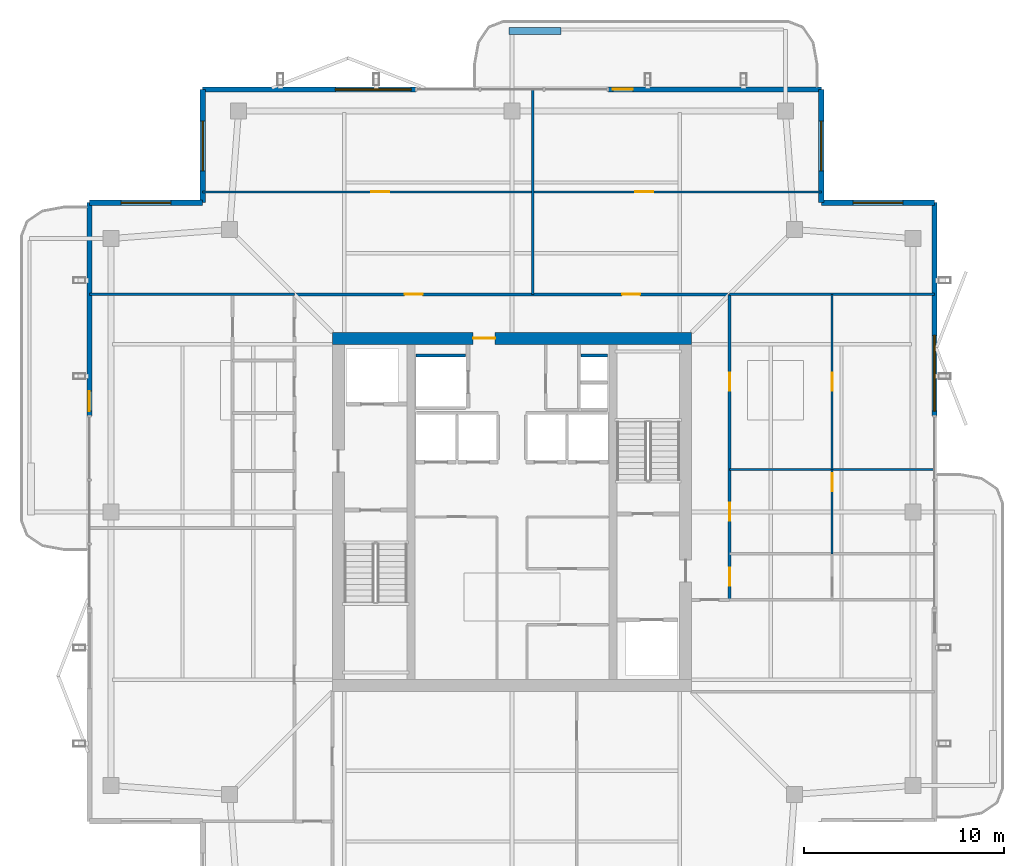
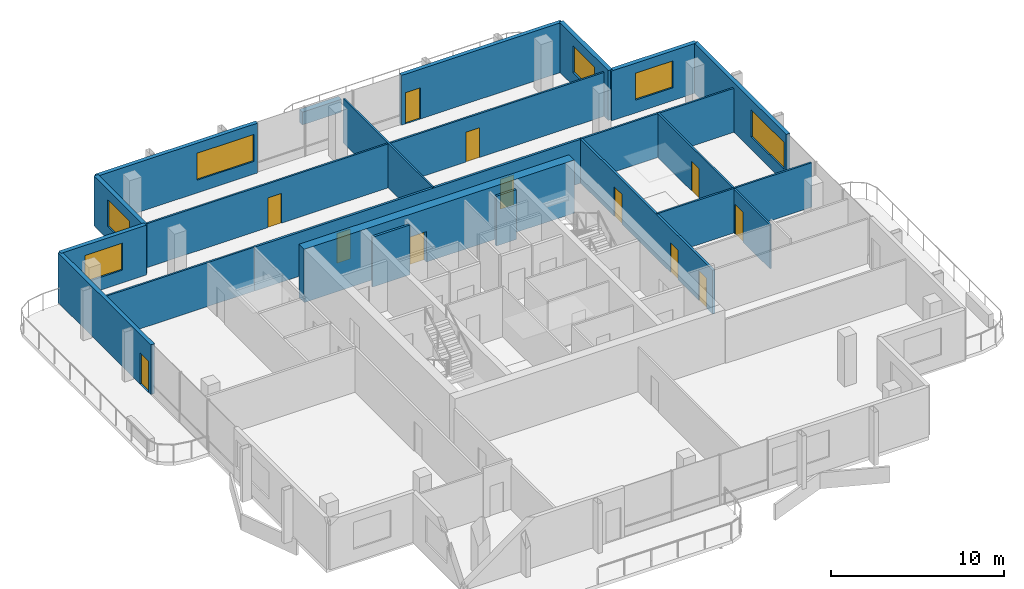
# One storey, part 18 of 22: 22 walls, 12 doors, 6 windows, 18 openings.
"""IFC4 building model written with IfcOpenShell, lengths in metres."""

from ifc_helpers import new_model, si_unit, direction, frame, frame_2d, origin, place, context, subcontext, project, spatial, rectangle, extrude, material, layer, layer_set, type_object, element, fill, save


model = new_model("IFC4")

# Units and contexts
model_context = context("Model", 3, precision=1e-05, world=origin(), true_north=direction((0.0, 1.0)))
body_context = subcontext(model_context, "Body", "Model", "MODEL_VIEW")
ifc_project = project(units=[si_unit("LENGTHUNIT", "METRE"), si_unit("AREAUNIT", "SQUARE_METRE"), si_unit("VOLUMEUNIT", "CUBIC_METRE"), si_unit("PLANEANGLEUNIT", "RADIAN"), si_unit("MASSUNIT", "GRAM", prefix="KILO")], contexts=[model_context])

# Site, building, storey
site_placement = place(None, origin())
site = spatial("IfcSite", under=ifc_project, at=site_placement, CompositionType="ELEMENT")
building_placement = place(site_placement, origin())
building = spatial("IfcBuilding", under=site, at=building_placement, Name="Belovzor Exchange Tower", CompositionType="ELEMENT")
storey_placement = place(building_placement, frame((0.0, 0.0, 348.0)))
storey = spatial("IfcBuildingStorey", under=building, at=storey_placement, Name="L87", CompositionType="ELEMENT", Elevation=348.0)

# Wall, opening, door
ifc_material_1 = material(Name="Acoustic Plasterboard on Galvanised Studs", Category="gypsum")
ifc_layer_1 = layer(ifc_material_1, 0.1201171875)
ifc_layer_set_1 = layer_set([ifc_layer_1], Name="Acoustic Plasterboard on Galvanised Studs")
wall_type_1 = type_object("IfcWallType", Name="Acoustic Double-Stud Partition Wall 120", PredefinedType="PARTITIONING", material=ifc_layer_set_1)
wall_1_placement = place(storey_placement, frame((13.300048828125, 44.8349609375, 0.0), z_axis=(0.0, 0.0, 1.0), x_axis=(1.0, 0.0, 0.0)))
wall_1 = element("IfcWall", 1, at=wall_1_placement, inside=storey, type_object=wall_type_1, Name="W-P120 Partition Wall W-L87-NHDIV-0", PredefinedType="PARTITIONING", context=body_context, shape_type="SweptSolid", body=[
    extrude(rectangle(XDim=16.531982421875, YDim=0.1201171875, at=frame_2d((8.26611328125, 0.0))), origin(), (0.0, 0.0, 1.0), 3.094970703125),
])
opening_1_placement = place(wall_1_placement, frame((8.450927734375, 0.0, 0.0)))
opening_1 = element("IfcOpeningElement", 2, at=opening_1_placement, cuts=wall_1, Name="Opening D-INT-090", PredefinedType="OPENING", context=body_context, shape_type="SweptSolid", body=[
    extrude(rectangle(XDim=0.89990234375, YDim=2.10009765625, at=frame_2d((0.449951171875, 1.050048828125))), frame((0.0, 0.070068359375, 0.0), z_axis=(0.0, -1.0, 0.0), x_axis=(1.0, 0.0, 0.0)), (0.0, 0.0, 1.0), 0.14013671875),
])
ifc_material_2 = material(Name="Veneered Hardwood Acoustic Leaf", Category="wood")
door_type_1 = type_object("IfcDoorType", Name="Trading Suite Acoustic Single Door 900x2100", OperationType="NOTDEFINED", PredefinedType="DOOR", material=ifc_material_2)
door_1_placement = place(opening_1_placement, origin())
door_1 = element("IfcDoor", 3, at=door_1_placement, inside=storey, type_object=door_type_1, Name="D-INT-090 Trading Suite Acoustic Single Door 900x2100", OperationType="SINGLE_SWING_RIGHT", OverallHeight=2.10009765625, OverallWidth=0.89990234375, PredefinedType="DOOR", context=body_context, shape_type="SweptSolid", body=[
    extrude(rectangle(XDim=0.89990234375, YDim=2.10009765625, at=frame_2d((0.449951171875, 1.050048828125))), frame((0.0, 0.02490234375, 0.0), z_axis=(0.0, -1.0, 0.0), x_axis=(1.0, 0.0, 0.0)), (0.0, 0.0, 1.0), 0.050048828125),
])
fill(opening_1, door_1)

# Wall
wall_2_placement = place(storey_placement, frame((29.83203125, 39.699951171875, 0.0), z_axis=(0.0, 0.0, 1.0), x_axis=(0.0, 1.0, 0.0)))
element("IfcWall", 4, at=wall_2_placement, inside=storey, type_object=wall_type_1, Name="W-P120 Partition Wall W-L87-NDIV-1", PredefinedType="PARTITIONING", context=body_context, shape_type="SweptSolid", body=[
    extrude(rectangle(XDim=10.27001953125, YDim=0.1201171875, at=frame_2d((5.135009765625, 0.0))), origin(), (0.0, 0.0, 1.0), 3.135009765625),
])

# Wall, opening, door
wall_3_placement = place(storey_placement, frame((29.83203125, 44.8349609375, 0.0), z_axis=(0.0, 0.0, 1.0), x_axis=(1.0, 0.0, 0.0)))
wall_3 = element("IfcWall", 5, at=wall_3_placement, inside=storey, type_object=wall_type_1, Name="W-P120 Partition Wall W-L87-NHDIV-1", PredefinedType="PARTITIONING", context=body_context, shape_type="SweptSolid", body=[
    extrude(rectangle(XDim=14.468017578125, YDim=0.1201171875, at=frame_2d((7.23388671875, 0.0))), origin(), (0.0, 0.0, 1.0), 3.094970703125),
])
opening_2_placement = place(wall_3_placement, frame((5.137939453125, 0.0, 0.0)))
opening_2 = element("IfcOpeningElement", 6, at=opening_2_placement, cuts=wall_3, Name="Opening D-INT-090", PredefinedType="OPENING", context=body_context, shape_type="SweptSolid", body=[
    extrude(rectangle(XDim=0.89990234375, YDim=2.10009765625, at=frame_2d((0.449951171875, 1.050048828125))), frame((0.0, 0.070068359375, 0.0), z_axis=(0.0, -1.0, 0.0), x_axis=(1.0, 0.0, 0.0)), (0.0, 0.0, 1.0), 0.14013671875),
])
door_2_placement = place(opening_2_placement, origin())
door_2 = element("IfcDoor", 7, at=door_2_placement, inside=storey, type_object=door_type_1, Name="D-INT-090 Trading Suite Acoustic Single Door 900x2100", OperationType="SINGLE_SWING_RIGHT", OverallHeight=2.10009765625, OverallWidth=0.89990234375, PredefinedType="DOOR", context=body_context, shape_type="SweptSolid", body=[
    extrude(rectangle(XDim=0.89990234375, YDim=2.10009765625, at=frame_2d((0.449951171875, 1.050048828125))), frame((0.0, 0.02490234375, 0.0), z_axis=(0.0, -1.0, 0.0), x_axis=(1.0, 0.0, 0.0)), (0.0, 0.0, 1.0), 0.050048828125),
])
fill(opening_2, door_2)

wall_4_placement = place(storey_placement, frame((44.8349609375, 26.699951171875, 0.0), z_axis=(0.0, 0.0, 1.0), x_axis=(0.0, 1.0, 0.0)))
wall_4 = element("IfcWall", 8, at=wall_4_placement, inside=storey, type_object=wall_type_1, Name="W-P120 Partition Wall W-L87-EHDIV-1", PredefinedType="PARTITIONING", context=body_context, shape_type="SweptSolid", body=[
    extrude(rectangle(XDim=4.23095703125, YDim=0.1201171875, at=frame_2d((2.115478515625, 0.0))), origin(), (0.0, 0.0, 1.0), 3.094970703125),
])
opening_3_placement = place(wall_4_placement, frame((3.131103515625, 0.0, 0.0)))
opening_3 = element("IfcOpeningElement", 9, at=opening_3_placement, cuts=wall_4, Name="Opening D-INT-090", PredefinedType="OPENING", context=body_context, shape_type="SweptSolid", body=[
    extrude(rectangle(XDim=0.89990234375, YDim=2.10009765625, at=frame_2d((0.449951171875, 1.050048828125))), frame((0.0, 0.070068359375, 0.0), z_axis=(0.0, -1.0, 0.0), x_axis=(1.0, 0.0, 0.0)), (0.0, 0.0, 1.0), 0.14013671875),
])
door_3_placement = place(opening_3_placement, origin())
door_3 = element("IfcDoor", 10, at=door_3_placement, inside=storey, type_object=door_type_1, Name="D-INT-090 Trading Suite Acoustic Single Door 900x2100", OperationType="SINGLE_SWING_RIGHT", OverallHeight=2.10009765625, OverallWidth=0.89990234375, PredefinedType="DOOR", context=body_context, shape_type="SweptSolid", body=[
    extrude(rectangle(XDim=0.89990234375, YDim=2.10009765625, at=frame_2d((0.449951171875, 1.050048828125))), frame((0.0, 0.02490234375, 0.0), z_axis=(0.0, -1.0, 0.0), x_axis=(1.0, 0.0, 0.0)), (0.0, 0.0, 1.0), 0.050048828125),
])
fill(opening_3, door_3)

# Wall
wall_5_placement = place(storey_placement, frame((39.699951171875, 30.930908203125, 0.0), z_axis=(0.0, 0.0, 1.0), x_axis=(1.0, 0.0, 0.0)))
element("IfcWall", 11, at=wall_5_placement, inside=storey, type_object=wall_type_1, Name="W-P120 Partition Wall W-L87-EDIV-2", PredefinedType="PARTITIONING", context=body_context, shape_type="SweptSolid", body=[
    extrude(rectangle(XDim=10.27001953125, YDim=0.1201171875, at=frame_2d((5.135009765625, 0.0))), origin(), (0.0, 0.0, 1.0), 3.135009765625),
])

# Wall, opening, door
wall_6_placement = place(storey_placement, frame((44.8349609375, 30.930908203125, 0.0), z_axis=(0.0, 0.0, 1.0), x_axis=(0.0, 1.0, 0.0)))
wall_6 = element("IfcWall", 12, at=wall_6_placement, inside=storey, type_object=wall_type_1, Name="W-P120 Partition Wall W-L87-EHDIV-2", PredefinedType="PARTITIONING", context=body_context, shape_type="SweptSolid", body=[
    extrude(rectangle(XDim=8.76904296875, YDim=0.1201171875, at=frame_2d((4.384521484375, 0.0))), origin(), (0.0, 0.0, 1.0), 3.094970703125),
])
opening_4_placement = place(wall_6_placement, frame((3.93505859375, 0.0, 0.0)))
opening_4 = element("IfcOpeningElement", 13, at=opening_4_placement, cuts=wall_6, Name="Opening D-INT-090", PredefinedType="OPENING", context=body_context, shape_type="SweptSolid", body=[
    extrude(rectangle(XDim=0.89990234375, YDim=2.10009765625, at=frame_2d((0.449951171875, 1.050048828125))), frame((0.0, 0.070068359375, 0.0), z_axis=(0.0, -1.0, 0.0), x_axis=(1.0, 0.0, 0.0)), (0.0, 0.0, 1.0), 0.14013671875),
])
door_4_placement = place(opening_4_placement, origin())
door_4 = element("IfcDoor", 14, at=door_4_placement, inside=storey, type_object=door_type_1, Name="D-INT-090 Trading Suite Acoustic Single Door 900x2100", OperationType="SINGLE_SWING_RIGHT", OverallHeight=2.10009765625, OverallWidth=0.89990234375, PredefinedType="DOOR", context=body_context, shape_type="SweptSolid", body=[
    extrude(rectangle(XDim=0.89990234375, YDim=2.10009765625, at=frame_2d((0.449951171875, 1.050048828125))), frame((0.0, 0.02490234375, 0.0), z_axis=(0.0, -1.0, 0.0), x_axis=(1.0, 0.0, 0.0)), (0.0, 0.0, 1.0), 0.050048828125),
])
fill(opening_4, door_4)

# Walls
for number, where, z_axis, x_axis, name in (
    (15, (7.6298828125, 39.699951171875, 0.0), (0.0, 0.0, 1.0), (1.0, 0.0, 0.0), "W-P120 Partition Wall W-L87-END-NW"),
    (16, (39.699951171875, 39.699951171875, 0.0), (0.0, 0.0, 1.0), (1.0, 0.0, 0.0), "W-P120 Partition Wall W-L87-END-NE"),
):
    element("IfcWall", number, at=place(storey_placement, frame(where, z_axis=z_axis, x_axis=x_axis)), inside=storey, type_object=wall_type_1, Name=name, PredefinedType="PARTITIONING", context=body_context, shape_type="SweptSolid", body=[
        extrude(rectangle(XDim=10.27001953125, YDim=0.1201171875, at=frame_2d((5.135009765625, 0.0))), origin(), (0.0, 0.0, 1.0), 3.094970703125),
    ])

# Wall, openings, doors
ifc_material_3 = material(Name="Fire-Rated Gypsum Block and Mineral Wool", Category="gypsum")
ifc_layer_2 = layer(ifc_material_3, 0.14990234375)
ifc_layer_set_2 = layer_set([ifc_layer_2], Name="Fire-Rated Gypsum Block and Mineral Wool")
wall_type_2 = type_object("IfcWallType", Name="Fire-Rated Gypsum Block Corridor Wall 150", PredefinedType="PARTITIONING", material=ifc_layer_set_2)
wall_7_placement = place(storey_placement, frame((17.89990234375, 39.699951171875, 0.0), z_axis=(0.0, 0.0, 1.0), x_axis=(1.0, 0.0, 0.0)))
wall_7 = element("IfcWall", 17, at=wall_7_placement, inside=storey, type_object=wall_type_2, Name="W-P150 Partition Wall W-L87-CN", PredefinedType="PARTITIONING", context=body_context, shape_type="SweptSolid", body=[
    extrude(rectangle(XDim=21.800048828125, YDim=0.14990234375, at=frame_2d((10.89990234375, 0.0))), origin(), (0.0, 0.0, 1.0), 3.094970703125),
])
opening_5_placement = place(wall_7_placement, frame((5.51611328125, 0.0, 0.0)))
opening_5 = element("IfcOpeningElement", 18, at=opening_5_placement, cuts=wall_7, Name="Opening D-INT-090", PredefinedType="OPENING", context=body_context, shape_type="SweptSolid", body=[
    extrude(rectangle(XDim=0.89990234375, YDim=2.10009765625, at=frame_2d((0.449951171875, 1.050048828125))), frame((0.0, 0.0849609375, 0.0), z_axis=(0.0, -1.0, 0.0), x_axis=(1.0, 0.0, 0.0)), (0.0, 0.0, 1.0), 0.169921875),
])
opening_6_placement = place(wall_7_placement, frame((16.416015625, 0.0, 0.0)))
opening_6 = element("IfcOpeningElement", 19, at=opening_6_placement, cuts=wall_7, Name="Opening D-INT-090", PredefinedType="OPENING", context=body_context, shape_type="SweptSolid", body=[
    extrude(rectangle(XDim=0.89990234375, YDim=2.10009765625, at=frame_2d((0.449951171875, 1.050048828125))), frame((0.0, 0.0849609375, 0.0), z_axis=(0.0, -1.0, 0.0), x_axis=(1.0, 0.0, 0.0)), (0.0, 0.0, 1.0), 0.169921875),
])
door_5_placement = place(opening_5_placement, origin())
door_5 = element("IfcDoor", 20, at=door_5_placement, inside=storey, type_object=door_type_1, Name="D-INT-090 Trading Suite Acoustic Single Door 900x2100", OperationType="SINGLE_SWING_RIGHT", OverallHeight=2.10009765625, OverallWidth=0.89990234375, PredefinedType="DOOR", context=body_context, shape_type="SweptSolid", body=[
    extrude(rectangle(XDim=0.89990234375, YDim=2.10009765625, at=frame_2d((0.449951171875, 1.050048828125))), frame((0.0, 0.02490234375, 0.0), z_axis=(0.0, -1.0, 0.0), x_axis=(1.0, 0.0, 0.0)), (0.0, 0.0, 1.0), 0.050048828125),
])
fill(opening_5, door_5)
door_6_placement = place(opening_6_placement, origin())
door_6 = element("IfcDoor", 21, at=door_6_placement, inside=storey, type_object=door_type_1, Name="D-INT-090 Trading Suite Acoustic Single Door 900x2100", OperationType="SINGLE_SWING_LEFT", OverallHeight=2.10009765625, OverallWidth=0.89990234375, PredefinedType="DOOR", context=body_context, shape_type="SweptSolid", body=[
    extrude(rectangle(XDim=0.89990234375, YDim=2.10009765625, at=frame_2d((0.449951171875, 1.050048828125))), frame((0.0, 0.02490234375, 0.0), z_axis=(0.0, -1.0, 0.0), x_axis=(1.0, 0.0, 0.0)), (0.0, 0.0, 1.0), 0.050048828125),
])
fill(opening_6, door_6)

wall_8_placement = place(storey_placement, frame((39.699951171875, 24.39990234375, 0.0), z_axis=(0.0, 0.0, 1.0), x_axis=(0.0, 1.0, 0.0)))
wall_8 = element("IfcWall", 22, at=wall_8_placement, inside=storey, type_object=wall_type_2, Name="W-P150 Partition Wall W-L87-CE", PredefinedType="PARTITIONING", context=body_context, shape_type="SweptSolid", body=[
    extrude(rectangle(XDim=15.300048828125, YDim=0.14990234375, at=frame_2d((7.64990234375, 0.0))), origin(), (0.0, 0.0, 1.0), 3.094970703125),
])
opening_7_placement = place(wall_8_placement, frame((0.699951171875, 0.0, 0.0)))
opening_7 = element("IfcOpeningElement", 23, at=opening_7_placement, cuts=wall_8, Name="Opening D-INT-090", PredefinedType="OPENING", context=body_context, shape_type="SweptSolid", body=[
    extrude(rectangle(XDim=0.89990234375, YDim=2.10009765625, at=frame_2d((0.449951171875, 1.050048828125))), frame((0.0, 0.0849609375, 0.0), z_axis=(0.0, -1.0, 0.0), x_axis=(1.0, 0.0, 0.0)), (0.0, 0.0, 1.0), 0.169921875),
])
opening_8_placement = place(wall_8_placement, frame((3.966064453125, 0.0, 0.0)))
opening_8 = element("IfcOpeningElement", 24, at=opening_8_placement, cuts=wall_8, Name="Opening D-INT-090", PredefinedType="OPENING", context=body_context, shape_type="SweptSolid", body=[
    extrude(rectangle(XDim=0.89990234375, YDim=2.10009765625, at=frame_2d((0.449951171875, 1.050048828125))), frame((0.0, 0.0849609375, 0.0), z_axis=(0.0, -1.0, 0.0), x_axis=(1.0, 0.0, 0.0)), (0.0, 0.0, 1.0), 0.169921875),
])
opening_9_placement = place(wall_8_placement, frame((10.465087890625, 0.0, 0.0)))
opening_9 = element("IfcOpeningElement", 25, at=opening_9_placement, cuts=wall_8, Name="Opening D-INT-090", PredefinedType="OPENING", context=body_context, shape_type="SweptSolid", body=[
    extrude(rectangle(XDim=0.89990234375, YDim=2.10009765625, at=frame_2d((0.449951171875, 1.050048828125))), frame((0.0, 0.0849609375, 0.0), z_axis=(0.0, -1.0, 0.0), x_axis=(1.0, 0.0, 0.0)), (0.0, 0.0, 1.0), 0.169921875),
])
door_7_placement = place(opening_7_placement, origin())
door_7 = element("IfcDoor", 26, at=door_7_placement, inside=storey, type_object=door_type_1, Name="D-INT-090 Trading Suite Acoustic Single Door 900x2100", OperationType="SINGLE_SWING_RIGHT", OverallHeight=2.10009765625, OverallWidth=0.89990234375, PredefinedType="DOOR", context=body_context, shape_type="SweptSolid", body=[
    extrude(rectangle(XDim=0.89990234375, YDim=2.10009765625, at=frame_2d((0.449951171875, 1.050048828125))), frame((0.0, 0.02490234375, 0.0), z_axis=(0.0, -1.0, 0.0), x_axis=(1.0, 0.0, 0.0)), (0.0, 0.0, 1.0), 0.050048828125),
])
fill(opening_7, door_7)
door_8_placement = place(opening_8_placement, origin())
door_8 = element("IfcDoor", 27, at=door_8_placement, inside=storey, type_object=door_type_1, Name="D-INT-090 Trading Suite Acoustic Single Door 900x2100", OperationType="SINGLE_SWING_LEFT", OverallHeight=2.10009765625, OverallWidth=0.89990234375, PredefinedType="DOOR", context=body_context, shape_type="SweptSolid", body=[
    extrude(rectangle(XDim=0.89990234375, YDim=2.10009765625, at=frame_2d((0.449951171875, 1.050048828125))), frame((0.0, 0.02490234375, 0.0), z_axis=(0.0, -1.0, 0.0), x_axis=(1.0, 0.0, 0.0)), (0.0, 0.0, 1.0), 0.050048828125),
])
fill(opening_8, door_8)
door_9_placement = place(opening_9_placement, origin())
door_9 = element("IfcDoor", 28, at=door_9_placement, inside=storey, type_object=door_type_1, Name="D-INT-090 Trading Suite Acoustic Single Door 900x2100", OperationType="SINGLE_SWING_RIGHT", OverallHeight=2.10009765625, OverallWidth=0.89990234375, PredefinedType="DOOR", context=body_context, shape_type="SweptSolid", body=[
    extrude(rectangle(XDim=0.89990234375, YDim=2.10009765625, at=frame_2d((0.449951171875, 1.050048828125))), frame((0.0, 0.02490234375, 0.0), z_axis=(0.0, -1.0, 0.0), x_axis=(1.0, 0.0, 0.0)), (0.0, 0.0, 1.0), 0.050048828125),
])
fill(opening_9, door_9)

# Wall, opening, window
ifc_material_4 = material(Name="Precast concrete C40/50", Category="concrete")
ifc_layer_3 = layer(ifc_material_4, 0.280029296875)
ifc_layer_set_3 = layer_set([ifc_layer_3], Name="Precast concrete C40/50")
wall_type_3 = type_object("IfcWallType", Name="Precast Concrete Notched Corner Frame Wall 280", PredefinedType="SOLIDWALL", material=ifc_layer_set_3)
wall_9_placement = place(storey_placement, frame((7.6298828125, 44.300048828125, 0.0), z_axis=(0.0, 0.0, 1.0), x_axis=(1.0, 0.0, 0.0)))
wall_9 = element("IfcWall", 29, at=wall_9_placement, inside=storey, type_object=wall_type_3, Name="W-CRN280 Precast Concrete Notched Corner Frame Wall 280 L87", PredefinedType="SOLIDWALL", context=body_context, shape_type="SweptSolid", body=[
    extrude(rectangle(XDim=5.670166015625, YDim=0.280029296875, at=frame_2d((2.8349609375, 0.0))), origin(), (0.0, 0.0, 1.0), 3.510009765625),
])
opening_10_placement = place(wall_9_placement, frame((1.5849609375, 0.0, 0.89990234375)))
opening_10 = element("IfcOpeningElement", 30, at=opening_10_placement, cuts=wall_9, Name="Opening WN-CRN250", PredefinedType="OPENING", context=body_context, shape_type="SweptSolid", body=[
    extrude(rectangle(XDim=2.5, YDim=1.89990234375, at=frame_2d((1.25, 0.949951171875))), frame((0.0, 0.14990234375, 0.0), z_axis=(0.0, -1.0, 0.0), x_axis=(1.0, 0.0, 0.0)), (0.0, 0.0, 1.0), 0.300048828125),
])
ifc_material_5 = material(Name="Thermally Broken Aluminium and Triple Glazing", Category="aluminium")
window_type_1 = type_object("IfcWindowType", Name="Streamline Moderne Corner Wrap Ribbon Window 2500x1900", PartitioningType="SINGLE_PANEL", PredefinedType="WINDOW", material=ifc_material_5)
window_1_placement = place(opening_10_placement, origin())
window_1 = element("IfcWindow", 31, at=window_1_placement, inside=storey, type_object=window_type_1, Name="WN-CRN250 Streamline Moderne Corner Wrap Ribbon Window 2500x1900", OverallHeight=1.89990234375, OverallWidth=2.5, PartitioningType="SINGLE_PANEL", PredefinedType="WINDOW", context=body_context, shape_type="SweptSolid", body=[
    extrude(rectangle(XDim=2.5, YDim=1.89990234375, at=frame_2d((1.25, 0.949951171875))), frame((0.0, 0.030029296875, 0.0), z_axis=(0.0, -1.0, 0.0), x_axis=(1.0, 0.0, 0.0)), (0.0, 0.0, 1.0), 0.06005859375),
])
fill(opening_10, window_1)

wall_10_placement = place(storey_placement, frame((13.300048828125, 44.300048828125, 0.0), z_axis=(0.0, 0.0, 1.0), x_axis=(0.0, 1.0, 0.0)))
wall_10 = element("IfcWall", 32, at=wall_10_placement, inside=storey, type_object=wall_type_3, Name="W-CRN280 Precast Concrete Notched Corner Frame Wall 280 L87", PredefinedType="SOLIDWALL", context=body_context, shape_type="SweptSolid", body=[
    extrude(rectangle(XDim=5.669921875, YDim=0.280029296875, at=frame_2d((2.8349609375, 0.0))), origin(), (0.0, 0.0, 1.0), 3.510009765625),
])
opening_11_placement = place(wall_10_placement, frame((1.5849609375, 0.0, 0.89990234375)))
opening_11 = element("IfcOpeningElement", 33, at=opening_11_placement, cuts=wall_10, Name="Opening WN-CRN250", PredefinedType="OPENING", context=body_context, shape_type="SweptSolid", body=[
    extrude(rectangle(XDim=2.5, YDim=1.89990234375, at=frame_2d((1.25, 0.949951171875))), frame((0.0, 0.14990234375, 0.0), z_axis=(0.0, -1.0, 0.0), x_axis=(1.0, 0.0, 0.0)), (0.0, 0.0, 1.0), 0.300048828125),
])
window_2_placement = place(opening_11_placement, origin())
window_2 = element("IfcWindow", 34, at=window_2_placement, inside=storey, type_object=window_type_1, Name="WN-CRN250 Streamline Moderne Corner Wrap Ribbon Window 2500x1900", OverallHeight=1.89990234375, OverallWidth=2.5, PartitioningType="SINGLE_PANEL", PredefinedType="WINDOW", context=body_context, shape_type="SweptSolid", body=[
    extrude(rectangle(XDim=2.5, YDim=1.89990234375, at=frame_2d((1.25, 0.949951171875))), frame((0.0, 0.030029296875, 0.0), z_axis=(0.0, -1.0, 0.0), x_axis=(1.0, 0.0, 0.0)), (0.0, 0.0, 1.0), 0.06005859375),
])
fill(opening_11, window_2)

wall_11_placement = place(storey_placement, frame((44.300048828125, 49.969970703125, 0.0), z_axis=(0.0, 0.0, 1.0), x_axis=(0.0, -1.0, 0.0)))
wall_11 = element("IfcWall", 35, at=wall_11_placement, inside=storey, type_object=wall_type_3, Name="W-CRN280 Precast Concrete Notched Corner Frame Wall 280 L87", PredefinedType="SOLIDWALL", context=body_context, shape_type="SweptSolid", body=[
    extrude(rectangle(XDim=5.669921875, YDim=0.280029296875, at=frame_2d((2.8349609375, 0.0))), origin(), (0.0, 0.0, 1.0), 3.510009765625),
])
opening_12_placement = place(wall_11_placement, frame((1.5849609375, 0.0, 0.89990234375)))
opening_12 = element("IfcOpeningElement", 36, at=opening_12_placement, cuts=wall_11, Name="Opening WN-CRN250", PredefinedType="OPENING", context=body_context, shape_type="SweptSolid", body=[
    extrude(rectangle(XDim=2.5, YDim=1.89990234375, at=frame_2d((1.25, 0.949951171875))), frame((0.0, 0.14990234375, 0.0), z_axis=(0.0, -1.0, 0.0), x_axis=(1.0, 0.0, 0.0)), (0.0, 0.0, 1.0), 0.300048828125),
])
window_3_placement = place(opening_12_placement, origin())
window_3 = element("IfcWindow", 37, at=window_3_placement, inside=storey, type_object=window_type_1, Name="WN-CRN250 Streamline Moderne Corner Wrap Ribbon Window 2500x1900", OverallHeight=1.89990234375, OverallWidth=2.5, PartitioningType="SINGLE_PANEL", PredefinedType="WINDOW", context=body_context, shape_type="SweptSolid", body=[
    extrude(rectangle(XDim=2.5, YDim=1.89990234375, at=frame_2d((1.25, 0.949951171875))), frame((0.0, 0.030029296875, 0.0), z_axis=(0.0, -1.0, 0.0), x_axis=(1.0, 0.0, 0.0)), (0.0, 0.0, 1.0), 0.06005859375),
])
fill(opening_12, window_3)

wall_12_placement = place(storey_placement, frame((44.300048828125, 44.300048828125, 0.0), z_axis=(0.0, 0.0, 1.0), x_axis=(1.0, 0.0, 0.0)))
wall_12 = element("IfcWall", 38, at=wall_12_placement, inside=storey, type_object=wall_type_3, Name="W-CRN280 Precast Concrete Notched Corner Frame Wall 280 L87", PredefinedType="SOLIDWALL", context=body_context, shape_type="SweptSolid", body=[
    extrude(rectangle(XDim=5.669921875, YDim=0.280029296875, at=frame_2d((2.8349609375, 0.0))), origin(), (0.0, 0.0, 1.0), 3.510009765625),
])
opening_13_placement = place(wall_12_placement, frame((1.5849609375, 0.0, 0.89990234375)))
opening_13 = element("IfcOpeningElement", 39, at=opening_13_placement, cuts=wall_12, Name="Opening WN-CRN250", PredefinedType="OPENING", context=body_context, shape_type="SweptSolid", body=[
    extrude(rectangle(XDim=2.5, YDim=1.89990234375, at=frame_2d((1.25, 0.949951171875))), frame((0.0, 0.14990234375, 0.0), z_axis=(0.0, -1.0, 0.0), x_axis=(1.0, 0.0, 0.0)), (0.0, 0.0, 1.0), 0.300048828125),
])
window_4_placement = place(opening_13_placement, origin())
window_4 = element("IfcWindow", 40, at=window_4_placement, inside=storey, type_object=window_type_1, Name="WN-CRN250 Streamline Moderne Corner Wrap Ribbon Window 2500x1900", OverallHeight=1.89990234375, OverallWidth=2.5, PartitioningType="SINGLE_PANEL", PredefinedType="WINDOW", context=body_context, shape_type="SweptSolid", body=[
    extrude(rectangle(XDim=2.5, YDim=1.89990234375, at=frame_2d((1.25, 0.949951171875))), frame((0.0, 0.030029296875, 0.0), z_axis=(0.0, -1.0, 0.0), x_axis=(1.0, 0.0, 0.0)), (0.0, 0.0, 1.0), 0.06005859375),
])
fill(opening_13, window_4)

ifc_material_6 = material(Name="Precast concrete C40/50", Category="concrete")
ifc_layer_4 = layer(ifc_material_6, 0.260009765625)
ifc_layer_set_4 = layer_set([ifc_layer_4], Name="Precast concrete C40/50")
wall_type_4 = type_object("IfcWallType", Name="Precast Concrete Perimeter Loggia Frame Wall 260", PredefinedType="SOLIDWALL", material=ifc_layer_set_4)
wall_13_placement = place(storey_placement, frame((13.300048828125, 49.969970703125, 0.0), z_axis=(0.0, 0.0, 1.0), x_axis=(1.0, 0.0, 0.0)))
wall_13 = element("IfcWall", 41, at=wall_13_placement, inside=storey, type_object=wall_type_4, Name="W-EXT260 Precast Concrete Perimeter Loggia Frame Wall 260 L87", PredefinedType="SOLIDWALL", context=body_context, shape_type="SweptSolid", body=[
    extrude(rectangle(XDim=10.699951171875, YDim=0.260009765625, at=frame_2d((5.35009765625, 0.0))), origin(), (0.0, 0.0, 1.0), 3.510009765625),
])
opening_14_placement = place(wall_13_placement, frame((6.64990234375, 0.0, 0.89990234375)))
opening_14 = element("IfcOpeningElement", 42, at=opening_14_placement, cuts=wall_13, Name="Opening WN-RIB380", PredefinedType="OPENING", context=body_context, shape_type="SweptSolid", body=[
    extrude(rectangle(XDim=3.800048828125, YDim=1.89990234375, at=frame_2d((1.89990234375, 0.949951171875))), frame((0.0, 0.139892578125, 0.0), z_axis=(0.0, -1.0, 0.0), x_axis=(1.0, 0.0, 0.0)), (0.0, 0.0, 1.0), 0.280029296875),
])
ifc_material_7 = material(Name="Thermally Broken Aluminium and Triple Glazing", Category="aluminium")
window_type_2 = type_object("IfcWindowType", Name="Streamline Moderne Horizontal Ribbon Window 3800x1900", PartitioningType="SINGLE_PANEL", PredefinedType="WINDOW", material=ifc_material_7)
window_5_placement = place(opening_14_placement, origin())
window_5 = element("IfcWindow", 43, at=window_5_placement, inside=storey, type_object=window_type_2, Name="WN-RIB380 Streamline Moderne Horizontal Ribbon Window 3800x1900", OverallHeight=1.89990234375, OverallWidth=3.800048828125, PartitioningType="SINGLE_PANEL", PredefinedType="WINDOW", context=body_context, shape_type="SweptSolid", body=[
    extrude(rectangle(XDim=3.800048828125, YDim=1.89990234375, at=frame_2d((1.89990234375, 0.949951171875))), frame((0.0, 0.030029296875, 0.0), z_axis=(0.0, -1.0, 0.0), x_axis=(1.0, 0.0, 0.0)), (0.0, 0.0, 1.0), 0.06005859375),
])
fill(opening_14, window_5)

# Wall, opening, door
wall_14_placement = place(storey_placement, frame((33.60009765625, 49.969970703125, 0.0), z_axis=(0.0, 0.0, 1.0), x_axis=(1.0, 0.0, 0.0)))
wall_14 = element("IfcWall", 44, at=wall_14_placement, inside=storey, type_object=wall_type_4, Name="W-EXT260 Precast Concrete Perimeter Loggia Frame Wall 260 L87", PredefinedType="SOLIDWALL", context=body_context, shape_type="SweptSolid", body=[
    extrude(rectangle(XDim=10.699951171875, YDim=0.260009765625, at=frame_2d((5.35009765625, 0.0))), origin(), (0.0, 0.0, 1.0), 3.510009765625),
])
opening_15_placement = place(wall_14_placement, frame((0.25, 0.0, 0.0)))
opening_15 = element("IfcOpeningElement", 45, at=opening_15_placement, cuts=wall_14, Name="Opening D-BAL100", PredefinedType="OPENING", context=body_context, shape_type="SweptSolid", body=[
    extrude(rectangle(XDim=1.0, YDim=2.199951171875, at=frame_2d((0.5, 1.10009765625))), frame((0.0, 0.139892578125, 0.0), z_axis=(0.0, -1.0, 0.0), x_axis=(1.0, 0.0, 0.0)), (0.0, 0.0, 1.0), 0.280029296875),
])
ifc_material_8 = material(Name="Thermally Broken Anodised Aluminium and Laminated Glass", Category="aluminium")
door_type_2 = type_object("IfcDoorType", Name="Planted Loggia Terrace Glazed Door 1000x2200", OperationType="SINGLE_SWING_LEFT", PredefinedType="DOOR", material=ifc_material_8)
door_10_placement = place(opening_15_placement, origin())
door_10 = element("IfcDoor", 46, at=door_10_placement, inside=storey, type_object=door_type_2, Name="D-BAL100 Balcony Terrace Door L87 N", OperationType="SINGLE_SWING_RIGHT", OverallHeight=2.199951171875, OverallWidth=1.0, PredefinedType="DOOR", context=body_context, shape_type="SweptSolid", body=[
    extrude(rectangle(XDim=1.0, YDim=2.199951171875, at=frame_2d((0.5, 1.10009765625))), frame((0.0, 0.02490234375, 0.0), z_axis=(0.0, -1.0, 0.0), x_axis=(1.0, 0.0, 0.0)), (0.0, 0.0, 1.0), 0.050048828125),
])
fill(opening_15, door_10)

wall_15_placement = place(storey_placement, frame((7.6298828125, 33.60009765625, 0.0), z_axis=(0.0, 0.0, 1.0), x_axis=(0.0, 1.0, 0.0)))
wall_15 = element("IfcWall", 47, at=wall_15_placement, inside=storey, type_object=wall_type_4, Name="W-EXT260 Precast Concrete Perimeter Loggia Frame Wall 260 L87", PredefinedType="SOLIDWALL", context=body_context, shape_type="SweptSolid", body=[
    extrude(rectangle(XDim=10.699951171875, YDim=0.260009765625, at=frame_2d((5.35009765625, 0.0))), origin(), (0.0, 0.0, 1.0), 3.510009765625),
])
opening_16_placement = place(wall_15_placement, frame((0.25, 0.0, 0.0)))
opening_16 = element("IfcOpeningElement", 48, at=opening_16_placement, cuts=wall_15, Name="Opening D-BAL100", PredefinedType="OPENING", context=body_context, shape_type="SweptSolid", body=[
    extrude(rectangle(XDim=1.0, YDim=2.199951171875, at=frame_2d((0.5, 1.10009765625))), frame((0.0, 0.139892578125, 0.0), z_axis=(0.0, -1.0, 0.0), x_axis=(1.0, 0.0, 0.0)), (0.0, 0.0, 1.0), 0.280029296875),
])
door_11_placement = place(opening_16_placement, origin())
door_11 = element("IfcDoor", 49, at=door_11_placement, inside=storey, type_object=door_type_2, Name="D-BAL100 Balcony Terrace Door L87 W", OperationType="SINGLE_SWING_RIGHT", OverallHeight=2.199951171875, OverallWidth=1.0, PredefinedType="DOOR", context=body_context, shape_type="SweptSolid", body=[
    extrude(rectangle(XDim=1.0, YDim=2.199951171875, at=frame_2d((0.5, 1.10009765625))), frame((0.0, 0.02490234375, 0.0), z_axis=(0.0, -1.0, 0.0), x_axis=(1.0, 0.0, 0.0)), (0.0, 0.0, 1.0), 0.050048828125),
])
fill(opening_16, door_11)

# Wall, opening, window
wall_16_placement = place(storey_placement, frame((49.969970703125, 44.300048828125, 0.0), z_axis=(0.0, 0.0, 1.0), x_axis=(0.0, -1.0, 0.0)))
wall_16 = element("IfcWall", 50, at=wall_16_placement, inside=storey, type_object=wall_type_4, Name="W-EXT260 Precast Concrete Perimeter Loggia Frame Wall 260 L87", PredefinedType="SOLIDWALL", context=body_context, shape_type="SweptSolid", body=[
    extrude(rectangle(XDim=10.699951171875, YDim=0.260009765625, at=frame_2d((5.35009765625, 0.0))), origin(), (0.0, 0.0, 1.0), 3.510009765625),
])
opening_17_placement = place(wall_16_placement, frame((6.64990234375, 0.0, 0.89990234375)))
opening_17 = element("IfcOpeningElement", 51, at=opening_17_placement, cuts=wall_16, Name="Opening WN-RIB380", PredefinedType="OPENING", context=body_context, shape_type="SweptSolid", body=[
    extrude(rectangle(XDim=3.800048828125, YDim=1.89990234375, at=frame_2d((1.89990234375, 0.949951171875))), frame((0.0, 0.139892578125, 0.0), z_axis=(0.0, -1.0, 0.0), x_axis=(1.0, 0.0, 0.0)), (0.0, 0.0, 1.0), 0.280029296875),
])
window_6_placement = place(opening_17_placement, origin())
window_6 = element("IfcWindow", 52, at=window_6_placement, inside=storey, type_object=window_type_2, Name="WN-RIB380 Streamline Moderne Horizontal Ribbon Window 3800x1900", OverallHeight=1.89990234375, OverallWidth=3.800048828125, PartitioningType="SINGLE_PANEL", PredefinedType="WINDOW", context=body_context, shape_type="SweptSolid", body=[
    extrude(rectangle(XDim=3.800048828125, YDim=1.89990234375, at=frame_2d((1.89990234375, 0.949951171875))), frame((0.0, 0.030029296875, 0.0), z_axis=(0.0, -1.0, 0.0), x_axis=(1.0, 0.0, 0.0)), (0.0, 0.0, 1.0), 0.06005859375),
])
fill(opening_17, window_6)

# Walls
ifc_material_9 = material(Name="Precast concrete C40/50", Category="concrete")
ifc_layer_5 = layer(ifc_material_9, 0.35009765625)
ifc_layer_set_5 = layer_set([ifc_layer_5], Name="Precast concrete C40/50")
wall_type_5 = type_object("IfcWallType", Name="Precast Concrete Structural Tree Planter Trough 350", PredefinedType="PARAPET", material=ifc_layer_set_5)
wall_17_placement = place(storey_placement, frame((28.64990234375, 52.89990234375, 0.0), z_axis=(0.0, 0.0, 1.0), x_axis=(1.0, 0.0, 0.0)))
element("IfcWall", 53, at=wall_17_placement, inside=storey, type_object=wall_type_5, Name="PT-350 Precast Concrete Structural Tree Planter Trough 350 L87", PredefinedType="PARAPET", context=body_context, shape_type="SweptSolid", body=[
    extrude(rectangle(XDim=2.60009765625, YDim=0.35009765625, at=frame_2d((1.300048828125, 0.0))), origin(), (0.0, 0.0, 1.0), 0.89990234375),
])
ifc_material_10 = material(Name="Concrete C50/60", Category="concrete")
ifc_layer_6 = layer(ifc_material_10, 0.14990234375)
ifc_layer_set_6 = layer_set([ifc_layer_6], Name="Concrete C50/60")
wall_type_6 = type_object("IfcWallType", Name="Reinforced Concrete Core Riser Shear Wall 150", PredefinedType="SHEAR", material=ifc_layer_set_6)
wall_18_placement = place(storey_placement, frame((24.0, 36.64990234375, 0.0), z_axis=(0.0, 0.0, 1.0), x_axis=(1.0, 0.0, 0.0)))
element("IfcWall", 54, at=wall_18_placement, inside=storey, type_object=wall_type_6, Name="W-C150S Core Shaft Wall W-SH-L87-SL-01N", PredefinedType="SHEAR", context=body_context, shape_type="SweptSolid", body=[
    extrude(rectangle(XDim=2.47998046875, YDim=0.14990234375, at=frame_2d((1.239990234375, 0.0))), origin(), (0.0, 0.0, 1.0), 3.510009765625),
])
wall_19_placement = place(storey_placement, frame((32.25, 36.64990234375, 0.0), z_axis=(0.0, 0.0, 1.0), x_axis=(1.0, 0.0, 0.0)))
element("IfcWall", 55, at=wall_19_placement, inside=storey, type_object=wall_type_6, Name="W-C150S Core Shaft Wall W-RSR-L87-N", PredefinedType="SHEAR", context=body_context, shape_type="SweptSolid", body=[
    extrude(rectangle(XDim=1.330078125, YDim=0.14990234375, at=frame_2d((0.6650390625, 0.0))), origin(), (0.0, 0.0, 1.0), 3.510009765625),
])

# Wall, opening, door
ifc_material_11 = material(Name="Concrete C50/60", Category="concrete")
ifc_layer_7 = layer(ifc_material_11, 0.60009765625)
ifc_layer_set_7 = layer_set([ifc_layer_7], Name="Concrete C50/60")
wall_type_7 = type_object("IfcWallType", Name="Reinforced Concrete Core Shear Wall 600", PredefinedType="SHEAR", material=ifc_layer_set_7)
wall_20_placement = place(storey_placement, frame((19.800048828125, 37.5, 0.0), z_axis=(0.0, 0.0, 1.0), x_axis=(1.0, 0.0, 0.0)))
wall_20 = element("IfcWall", 56, at=wall_20_placement, inside=storey, type_object=wall_type_7, Name="CW-S060 Core Shear Wall L87 N", PredefinedType="SHEAR", context=body_context, shape_type="SweptSolid", body=[
    extrude(rectangle(XDim=18.0, YDim=0.60009765625, at=frame_2d((9.0, 0.0))), origin(), (0.0, 0.0, 1.0), 3.75),
])
opening_18_placement = place(wall_20_placement, frame((7.050048828125, 0.0, 0.0)))
opening_18 = element("IfcOpeningElement", 57, at=opening_18_placement, cuts=wall_20, Name="Opening D-FD90-110", PredefinedType="OPENING", context=body_context, shape_type="SweptSolid", body=[
    extrude(rectangle(XDim=1.10009765625, YDim=2.14990234375, at=frame_2d((0.550048828125, 1.074951171875))), frame((0.0, 0.31005859375, 0.0), z_axis=(0.0, -1.0, 0.0), x_axis=(1.0, 0.0, 0.0)), (0.0, 0.0, 1.0), 0.6201171875),
])
ifc_material_12 = material(Name="Fire-Rated Galvanised Steel Leaf", Category="steel")
door_type_3 = type_object("IfcDoorType", Name="Protected Escape Vestibule Fire Door 1100x2150", OperationType="NOTDEFINED", PredefinedType="DOOR", material=ifc_material_12)
door_12_placement = place(opening_18_placement, origin())
door_12 = element("IfcDoor", 58, at=door_12_placement, inside=storey, type_object=door_type_3, Name="D-FD90-110 Protected Escape Vestibule Fire Door 1100x2150", OperationType="SINGLE_SWING_LEFT", OverallHeight=2.14990234375, OverallWidth=1.10009765625, PredefinedType="DOOR", context=body_context, shape_type="SweptSolid", body=[
    extrude(rectangle(XDim=1.10009765625, YDim=2.14990234375, at=frame_2d((0.550048828125, 1.074951171875))), frame((0.0, 0.02490234375, 0.0), z_axis=(0.0, -1.0, 0.0), x_axis=(1.0, 0.0, 0.0)), (0.0, 0.0, 1.0), 0.050048828125),
])
fill(opening_18, door_12)

save(model, "model.ifc")
